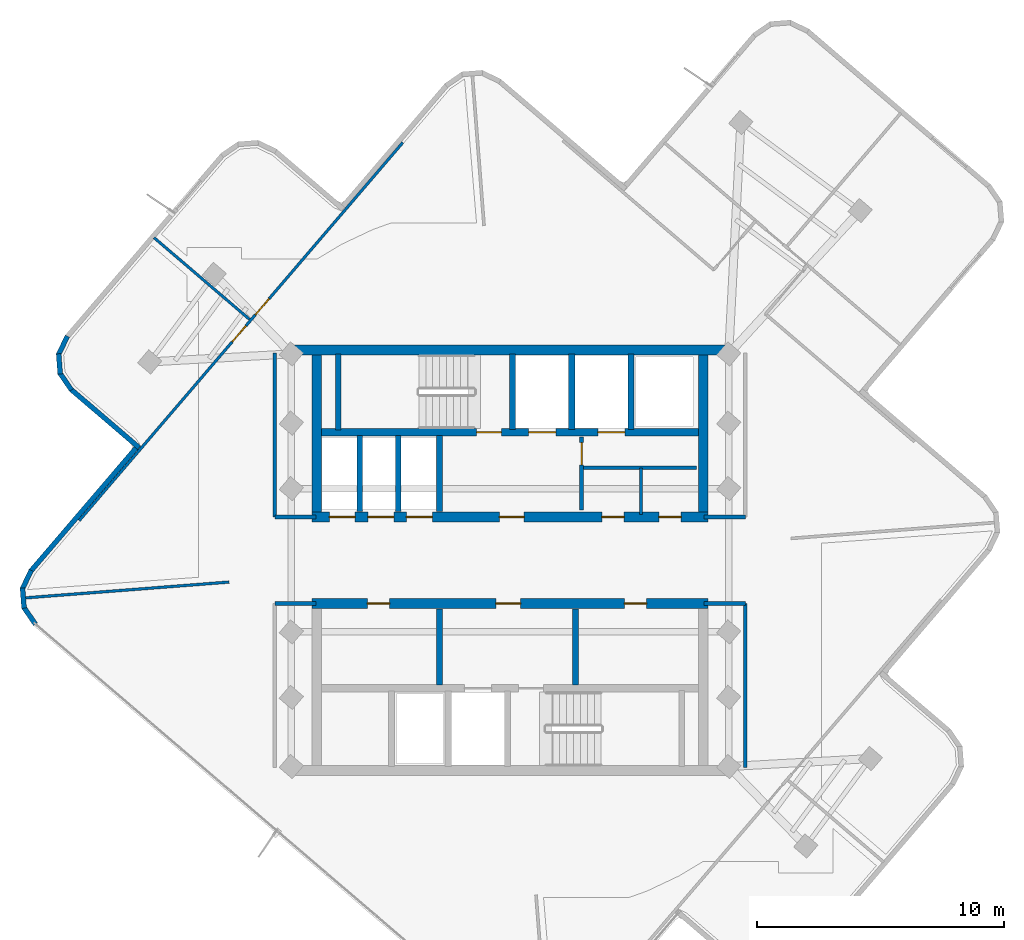
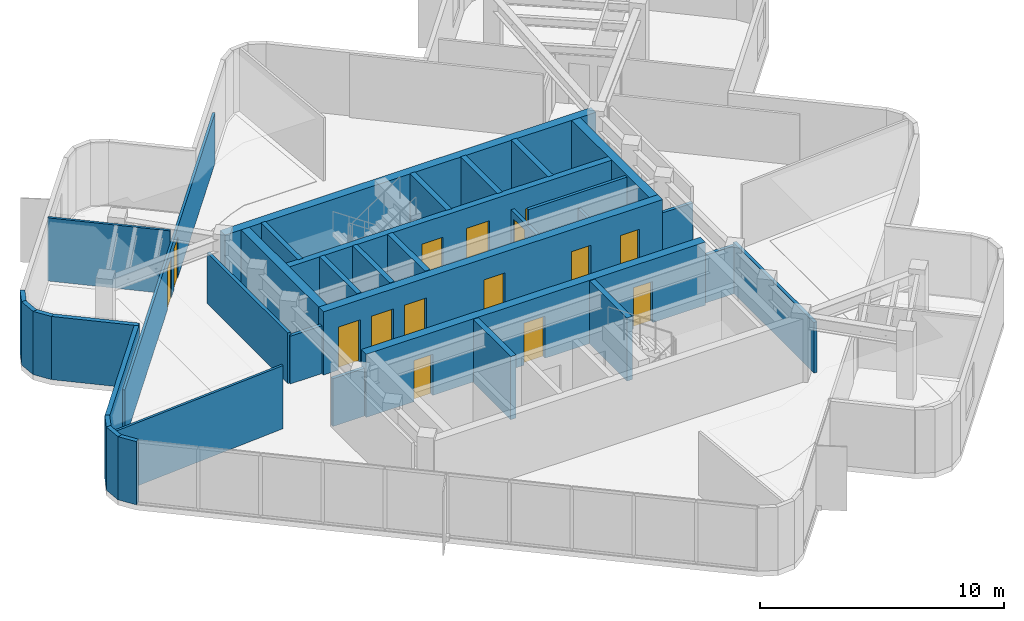
# One storey, part 6 of 11: 35 walls, 15 doors, 15 openings.
"""IFC4 building model written with IfcOpenShell, lengths in metres."""

import ifcopenshell
import ifcopenshell.guid

model = None  # the IFC model being written
_history = None  # IfcOwnerHistory: only IFC2X3 demands one
_inside = {}  # id of a spatial element -> (the spatial element, [elements in it])
_under = {}  # id of a project, library or spatial element -> (it, [spatial elements below it])
_declared = {}  # id of a project -> (the project, [libraries it declares])
_typed = {}  # id of a type object -> (the type object, [elements of that type])
_made_of = {}  # id of a material, layer set ... -> (it, [elements and type objects made of it])


def new_model(schema):
    """Start an empty IFC model of exactly this schema.

    Asked for "IFC4X3", IfcOpenShell would pick the latest addendum, in which some entities
    have other attributes; the version numbers below select the first issue.
    IFC2X3 requires an IfcOwnerHistory on every rooted entity: one is made here for all.
    """
    global model, _history
    if schema == "IFC4X3":
        model = ifcopenshell.file(schema_version=(4, 3, 0, 0))
    else:
        model = ifcopenshell.file(schema=schema)
    _inside.clear()
    _under.clear()
    _declared.clear()
    _typed.clear()
    _made_of.clear()
    _history = None
    if model.schema == "IFC2X3":
        org = make("IfcOrganization", Name="unknown")
        user = make(
            "IfcPersonAndOrganization",
            ThePerson=make("IfcPerson", FamilyName="unknown"),
            TheOrganization=org,
        )
        app = make(
            "IfcApplication",
            ApplicationDeveloper=org,
            Version="unknown",
            ApplicationFullName="unknown",
            ApplicationIdentifier="unknown",
        )
        _history = make(
            "IfcOwnerHistory",
            OwningUser=user,
            OwningApplication=app,
            ChangeAction="ADDED",
            CreationDate=0,
        )
    return model


def make(cls, **values):
    """One entity of the class cls with the attributes given. An attribute that is None is left unset."""
    return model.create_entity(
        cls, **{name: value for name, value in values.items() if value is not None}
    )


def rooted(cls, **values):
    """An entity with a GlobalId (a new one), such as an element, a storey or a relation."""
    return make(cls, GlobalId=ifcopenshell.guid.new(), OwnerHistory=_history, **values)


def si_unit(unit_type, name, prefix=None):
    """IfcSIUnit, for example si_unit("LENGTHUNIT", "METRE", prefix="MILLI")."""
    return make("IfcSIUnit", UnitType=unit_type, Prefix=prefix, Name=name)


def assignment(units):
    """IfcUnitAssignment: the units of a project."""
    return None if units is None else make("IfcUnitAssignment", Units=units)


def point(xyz):
    """IfcCartesianPoint."""
    return None if xyz is None else make("IfcCartesianPoint", Coordinates=xyz)


def direction(xyz):
    """IfcDirection."""
    return None if xyz is None else make("IfcDirection", DirectionRatios=xyz)


def frame(location, z_axis=None, x_axis=None):
    """IfcAxis2Placement3D, a coordinate frame: its origin and axes. An axis left out is left unset."""
    return make(
        "IfcAxis2Placement3D",
        Location=point(location),
        Axis=direction(z_axis),
        RefDirection=direction(x_axis),
    )


def frame_2d(location, x_axis=None):
    """IfcAxis2Placement2D, a coordinate frame in the plane: its origin and x axis."""
    return make(
        "IfcAxis2Placement2D", Location=point(location), RefDirection=direction(x_axis)
    )


def origin():
    """The frame at (0, 0, 0) with its axes left unset."""
    return frame((0.0, 0.0, 0.0))


def place(relative_to, where):
    """IfcLocalPlacement: puts the frame where relative to a parent placement (None: the world)."""
    return make(
        "IfcLocalPlacement", PlacementRelTo=relative_to, RelativePlacement=where
    )


def context(
    kind, dimensions, precision=None, world=None, true_north=None, identifier=None
):
    """IfcGeometricRepresentationContext, for example the 3D "Model" context."""
    return make(
        "IfcGeometricRepresentationContext",
        ContextIdentifier=identifier,
        ContextType=kind,
        CoordinateSpaceDimension=dimensions,
        Precision=precision,
        WorldCoordinateSystem=world,
        TrueNorth=true_north,
    )


def subcontext(parent, identifier, kind, view, scale=None):
    """IfcGeometricRepresentationSubContext, for example "Body" below "Model"."""
    return make(
        "IfcGeometricRepresentationSubContext",
        ContextIdentifier=identifier,
        ContextType=kind,
        ParentContext=parent,
        TargetScale=scale,
        TargetView=view,
    )


def project(units=None, contexts=None):
    """IfcProject with its units and contexts."""
    return rooted(
        "IfcProject",
        Name="project",
        RepresentationContexts=contexts,
        UnitsInContext=assignment(units),
    )


def spatial(cls, under=None, at=None, **own):
    """A site, building, storey or space (cls), placed at a placement, below another one or the project."""
    s = rooted(cls, ObjectPlacement=at, **own)
    if under is not None:
        _under.setdefault(under.id(), (under, []))[1].append(s)
    return s


def profile(cls, at=None, kind="AREA", **sizes):
    """A parametric profile (cls). Its sizes go by their IFC names, for example OverallWidth=200.0."""
    return make(cls, ProfileType=kind, Position=at, **sizes)


def rectangle(**sizes):
    """IfcRectangleProfileDef."""
    return profile("IfcRectangleProfileDef", **sizes)


def extrude(swept, where, along, depth):
    """IfcExtrudedAreaSolid: the profile swept, set in the frame where, extruded along a direction by depth."""
    return make(
        "IfcExtrudedAreaSolid",
        SweptArea=swept,
        Position=where,
        ExtrudedDirection=direction(along),
        Depth=depth,
    )


def shape(context_of_items, identifier, shape_type, items):
    """IfcShapeRepresentation: the items that make up one representation, for example the "Body"."""
    return make(
        "IfcShapeRepresentation",
        ContextOfItems=context_of_items,
        RepresentationIdentifier=identifier,
        RepresentationType=shape_type,
        Items=items,
    )


def material(Name=None, Category=None):
    """IfcMaterial."""
    return make("IfcMaterial", Name=Name, Category=Category)


def layer(
    of_material, thickness, ventilated=None, Name=None, Category=None, Priority=None
):
    """IfcMaterialLayer: one layer of a wall or slab, of a material (None: an air gap)."""
    return make(
        "IfcMaterialLayer",
        Material=of_material,
        LayerThickness=thickness,
        IsVentilated=ventilated,
        Name=Name,
        Category=Category,
        Priority=Priority,
    )


def layer_set(layers, Name=None):
    """IfcMaterialLayerSet."""
    return make("IfcMaterialLayerSet", MaterialLayers=layers, LayerSetName=Name)


def made_of(thing, what):
    """Note that an element or type object is made of a material, layer set ...; save() writes the relation."""
    if what is not None:
        _made_of.setdefault(what.id(), (what, []))[1].append(thing)
    return thing


def type_object(cls, material=None, **own):
    """A type object (cls), such as IfcWallType, which elements share."""
    return made_of(rooted(cls, **own), material)


def element(
    cls,
    number,
    at=None,
    inside=None,
    cuts=None,
    type_object=None,
    material=None,
    context=None,
    identifier="Body",
    shape_type=None,
    held_by="IfcProductDefinitionShape",
    body=None,
    shapes=None,
    **own,
):
    """One element of the class cls, such as IfcWall. Its Tag is "e" and its number.

    at: its placement. inside: the storey or other place that contains it. cuts: it is an
    opening in that element (IfcRelVoidsElement). A single representation is given by context,
    identifier, shape_type and body (its items); several are given by shapes. held_by: the class
    of the entity that holds the representations. save() writes the other relations.
    """
    e = rooted(cls, Tag="e%d" % number, ObjectPlacement=at, **own)
    if body is not None:
        shapes = [shape(context, identifier, shape_type, body)]
    if shapes is not None:
        e.Representation = make(held_by, Representations=shapes)
    if inside is not None:
        _inside.setdefault(inside.id(), (inside, []))[1].append(e)
    if cuts is not None:
        rooted(
            "IfcRelVoidsElement", RelatingBuildingElement=cuts, RelatedOpeningElement=e
        )
    if type_object is not None:
        _typed.setdefault(type_object.id(), (type_object, []))[1].append(e)
    return made_of(e, material)


def fill(opening, filler):
    """IfcRelFillsElement: the door or window that sits in an opening."""
    return rooted(
        "IfcRelFillsElement",
        RelatingOpeningElement=opening,
        RelatedBuildingElement=filler,
    )


def aggregate(whole, parts):
    """IfcRelAggregates: a whole, such as a stair, and the parts it consists of."""
    return rooted("IfcRelAggregates", RelatingObject=whole, RelatedObjects=parts)


def save(model, path):
    """Write the relations noted so far, then the file.

    IfcRelAggregates (storeys below a building ...), IfcRelContainedInSpatialStructure (elements
    in a storey), IfcRelDefinesByType, IfcRelAssociatesMaterial and IfcRelDeclares: one each for
    every whole, place, type object, material and project.
    """
    for whole, parts in _under.values():
        aggregate(whole, parts)
    for where, things in _inside.values():
        rooted(
            "IfcRelContainedInSpatialStructure",
            RelatedElements=things,
            RelatingStructure=where,
        )
    for kind, things in _typed.values():
        rooted("IfcRelDefinesByType", RelatedObjects=things, RelatingType=kind)
    for what, things in _made_of.values():
        rooted("IfcRelAssociatesMaterial", RelatedObjects=things, RelatingMaterial=what)
    for by, libraries in _declared.values():
        rooted("IfcRelDeclares", RelatingContext=by, RelatedDefinitions=libraries)
    model.write(path)


model = new_model("IFC4")

# Units and contexts
model_context = context("Model", 3, precision=1e-05, world=origin(), true_north=direction((0.0, 1.0)))
body_context = subcontext(model_context, "Body", "Model", "MODEL_VIEW")
ifc_project = project(units=[si_unit("LENGTHUNIT", "METRE"), si_unit("AREAUNIT", "SQUARE_METRE"), si_unit("VOLUMEUNIT", "CUBIC_METRE"), si_unit("PLANEANGLEUNIT", "RADIAN"), si_unit("MASSUNIT", "GRAM", prefix="KILO")], contexts=[model_context])

# Site, building, storey
site_placement = place(None, origin())
site = spatial("IfcSite", under=ifc_project, at=site_placement, CompositionType="ELEMENT")
building_placement = place(site_placement, origin())
building = spatial("IfcBuilding", under=site, at=building_placement, Name="Solmarez Civic Tower", CompositionType="ELEMENT")
storey_placement = place(building_placement, frame((0.0, 0.0, 250.919921875)))
storey = spatial("IfcBuildingStorey", under=building, at=storey_placement, Name="L67", CompositionType="ELEMENT", Elevation=250.919921875)

# Wall
ifc_material_1 = material(Name="Concrete C50/60", Category="concrete")
ifc_layer_1 = layer(ifc_material_1, 0.39990234375)
ifc_layer_set_1 = layer_set([ifc_layer_1], Name="Concrete C50/60")
wall_type_1 = type_object("IfcWallType", Name="WALL-CORE-400", PredefinedType="SHEAR", material=ifc_layer_set_1)
wall_1_placement = place(storey_placement, frame((-8.780029296875, 8.510009765625, 0.0), z_axis=(0.0, 0.0, 1.0), x_axis=(1.0, 0.0, 0.0)))
element("IfcWall", 1, at=wall_1_placement, inside=storey, type_object=wall_type_1, Name="L67 Split-Core Structural Wall NCW-N-L67", PredefinedType="SHEAR", context=body_context, shape_type="SweptSolid", body=[
    extrude(rectangle(XDim=17.56005859375, YDim=0.39990234375, at=frame_2d((8.780029296875, 0.0))), origin(), (0.0, 0.0, 1.0), 3.16015625),
])

# Wall, openings, doors
wall_2_placement = place(storey_placement, frame((8.02001953125, 1.75, 0.0), z_axis=(0.0, 0.0, 1.0), x_axis=(-1.0, 0.0, 0.0)))
wall_2 = element("IfcWall", 2, at=wall_2_placement, inside=storey, type_object=wall_type_1, Name="L67 Split-Core Structural Wall NCW-S-L67", PredefinedType="SHEAR", context=body_context, shape_type="SweptSolid", body=[
    extrude(rectangle(XDim=16.0400390625, YDim=0.39990234375, at=frame_2d((8.02001953125, 0.0))), origin(), (0.0, 0.0, 1.0), 3.16015625),
])
opening_1_placement = place(wall_2_placement, frame((7.449951171875, 0.0, 0.0)))
opening_1 = element("IfcOpeningElement", 3, at=opening_1_placement, cuts=wall_2, Name="Opening D-04", PredefinedType="OPENING", context=body_context, shape_type="SweptSolid", body=[
    extrude(rectangle(XDim=1.0, YDim=2.10009765625, at=frame_2d((0.5, 1.050048828125))), frame((0.0, 0.2099609375, 0.0), z_axis=(0.0, -1.0, 0.0), x_axis=(1.0, 0.0, 0.0)), (0.0, 0.0, 1.0), 0.419921875),
])
opening_2_placement = place(wall_2_placement, frame((14.284912109375, 0.0, 0.0)))
opening_2 = element("IfcOpeningElement", 4, at=opening_2_placement, cuts=wall_2, Name="Opening LD-01", PredefinedType="OPENING", context=body_context, shape_type="SweptSolid", body=[
    extrude(rectangle(XDim=1.050048828125, YDim=2.14990234375, at=frame_2d((0.52490234375, 1.074951171875))), frame((0.0, 0.2099609375, 0.0), z_axis=(0.0, -1.0, 0.0), x_axis=(1.0, 0.0, 0.0)), (0.0, 0.0, 1.0), 0.419921875),
])
opening_3_placement = place(wall_2_placement, frame((12.72509765625, 0.0, 0.0)))
opening_3 = element("IfcOpeningElement", 5, at=opening_3_placement, cuts=wall_2, Name="Opening LD-01", PredefinedType="OPENING", context=body_context, shape_type="SweptSolid", body=[
    extrude(rectangle(XDim=1.050048828125, YDim=2.14990234375, at=frame_2d((0.52490234375, 1.074951171875))), frame((0.0, 0.2099609375, 0.0), z_axis=(0.0, -1.0, 0.0), x_axis=(1.0, 0.0, 0.0)), (0.0, 0.0, 1.0), 0.419921875),
])
opening_4_placement = place(wall_2_placement, frame((11.1650390625, 0.0, 0.0)))
opening_4 = element("IfcOpeningElement", 6, at=opening_4_placement, cuts=wall_2, Name="Opening LD-01", PredefinedType="OPENING", context=body_context, shape_type="SweptSolid", body=[
    extrude(rectangle(XDim=1.050048828125, YDim=2.14990234375, at=frame_2d((0.52490234375, 1.074951171875))), frame((0.0, 0.2099609375, 0.0), z_axis=(0.0, -1.0, 0.0), x_axis=(1.0, 0.0, 0.0)), (0.0, 0.0, 1.0), 0.419921875),
])
opening_5_placement = place(wall_2_placement, frame((3.39990234375, 0.0, 0.0)))
opening_5 = element("IfcOpeningElement", 7, at=opening_5_placement, cuts=wall_2, Name="Opening D-09", PredefinedType="OPENING", context=body_context, shape_type="SweptSolid", body=[
    extrude(rectangle(XDim=0.89990234375, YDim=2.06005859375, at=frame_2d((0.449951171875, 1.030029296875))), frame((0.0, 0.2099609375, 0.0), z_axis=(0.0, -1.0, 0.0), x_axis=(1.0, 0.0, 0.0)), (0.0, 0.0, 1.0), 0.419921875),
])
opening_6_placement = place(wall_2_placement, frame((1.10009765625, 0.0, 0.0)))
opening_6 = element("IfcOpeningElement", 8, at=opening_6_placement, cuts=wall_2, Name="Opening D-09", PredefinedType="OPENING", context=body_context, shape_type="SweptSolid", body=[
    extrude(rectangle(XDim=0.89990234375, YDim=2.06005859375, at=frame_2d((0.449951171875, 1.030029296875))), frame((0.0, 0.2099609375, 0.0), z_axis=(0.0, -1.0, 0.0), x_axis=(1.0, 0.0, 0.0)), (0.0, 0.0, 1.0), 0.419921875),
])
ifc_material_2 = material(Name="Steel-Faced Acoustic Fire Door", Category="steel")
door_type_1 = type_object("IfcDoorType", Name="DOOR-FD60-1000", OperationType="NOTDEFINED", PredefinedType="DOOR", material=ifc_material_2)
door_1_placement = place(opening_1_placement, origin())
door_1 = element("IfcDoor", 9, at=door_1_placement, inside=storey, type_object=door_type_1, Name="L67 North Firefighting Lobby Door", OperationType="SINGLE_SWING_RIGHT", OverallHeight=2.10009765625, OverallWidth=1.0, PredefinedType="DOOR", context=body_context, shape_type="SweptSolid", body=[
    extrude(rectangle(XDim=1.0, YDim=2.10009765625, at=frame_2d((0.5, 1.050048828125))), frame((0.0, 0.02490234375, 0.0), z_axis=(0.0, -1.0, 0.0), x_axis=(1.0, 0.0, 0.0)), (0.0, 0.0, 1.0), 0.050048828125),
])
fill(opening_1, door_1)
ifc_material_3 = material(Name="Fire-Rated Service Core Door", Category="wood")
door_type_2 = type_object("IfcDoorType", Name="DOOR-FD60-900", OperationType="NOTDEFINED", PredefinedType="DOOR", material=ifc_material_3)
door_2_placement = place(opening_5_placement, origin())
door_2 = element("IfcDoor", 10, at=door_2_placement, inside=storey, type_object=door_type_2, Name="L67 Core WC Door", OperationType="SINGLE_SWING_LEFT", OverallHeight=2.06005859375, OverallWidth=0.89990234375, PredefinedType="DOOR", context=body_context, shape_type="SweptSolid", body=[
    extrude(rectangle(XDim=0.89990234375, YDim=2.06005859375, at=frame_2d((0.449951171875, 1.030029296875))), frame((0.0, 0.02490234375, 0.0), z_axis=(0.0, -1.0, 0.0), x_axis=(1.0, 0.0, 0.0)), (0.0, 0.0, 1.0), 0.050048828125),
])
fill(opening_5, door_2)
door_3_placement = place(opening_6_placement, origin())
door_3 = element("IfcDoor", 11, at=door_3_placement, inside=storey, type_object=door_type_2, Name="L67 Core CL Door", OperationType="SINGLE_SWING_RIGHT", OverallHeight=2.06005859375, OverallWidth=0.89990234375, PredefinedType="DOOR", context=body_context, shape_type="SweptSolid", body=[
    extrude(rectangle(XDim=0.89990234375, YDim=2.06005859375, at=frame_2d((0.449951171875, 1.030029296875))), frame((0.0, 0.02490234375, 0.0), z_axis=(0.0, -1.0, 0.0), x_axis=(1.0, 0.0, 0.0)), (0.0, 0.0, 1.0), 0.050048828125),
])
fill(opening_6, door_3)
ifc_material_4 = material(Name="Bronze Passenger Lift Landing Sliding Door", Category="aluminium")
door_type_3 = type_object("IfcDoorType", Name="DOOR-LD-PAX-1050", OperationType="DOUBLE_DOOR_SLIDING", PredefinedType="DOOR", material=ifc_material_4)
door_4_placement = place(opening_2_placement, origin())
door_4 = element("IfcDoor", 12, at=door_4_placement, inside=storey, type_object=door_type_3, Name="L67 High-Rise Lift Landing Door PL-H1", OperationType="DOUBLE_DOOR_SLIDING", OverallHeight=2.14990234375, OverallWidth=1.050048828125, PredefinedType="DOOR", context=body_context, shape_type="SweptSolid", body=[
    extrude(rectangle(XDim=1.050048828125, YDim=2.14990234375, at=frame_2d((0.52490234375, 1.074951171875))), frame((0.0, 0.02490234375, 0.0), z_axis=(0.0, -1.0, 0.0), x_axis=(1.0, 0.0, 0.0)), (0.0, 0.0, 1.0), 0.050048828125),
])
fill(opening_2, door_4)
door_5_placement = place(opening_3_placement, origin())
door_5 = element("IfcDoor", 13, at=door_5_placement, inside=storey, type_object=door_type_3, Name="L67 High-Rise Lift Landing Door PL-H2", OperationType="DOUBLE_DOOR_SLIDING", OverallHeight=2.14990234375, OverallWidth=1.050048828125, PredefinedType="DOOR", context=body_context, shape_type="SweptSolid", body=[
    extrude(rectangle(XDim=1.050048828125, YDim=2.14990234375, at=frame_2d((0.52490234375, 1.074951171875))), frame((0.0, 0.02490234375, 0.0), z_axis=(0.0, -1.0, 0.0), x_axis=(1.0, 0.0, 0.0)), (0.0, 0.0, 1.0), 0.050048828125),
])
fill(opening_3, door_5)
door_6_placement = place(opening_4_placement, origin())
door_6 = element("IfcDoor", 14, at=door_6_placement, inside=storey, type_object=door_type_3, Name="L67 High-Rise Lift Landing Door PL-H3", OperationType="DOUBLE_DOOR_SLIDING", OverallHeight=2.14990234375, OverallWidth=1.050048828125, PredefinedType="DOOR", context=body_context, shape_type="SweptSolid", body=[
    extrude(rectangle(XDim=1.050048828125, YDim=2.14990234375, at=frame_2d((0.52490234375, 1.074951171875))), frame((0.0, 0.02490234375, 0.0), z_axis=(0.0, -1.0, 0.0), x_axis=(1.0, 0.0, 0.0)), (0.0, 0.0, 1.0), 0.050048828125),
])
fill(opening_4, door_6)

# Walls
for number, where, z_axis, x_axis, name in (
    (15, (-7.820068359375, 1.949951171875, 0.0), (0.0, 0.0, 1.0), (0.0, 1.0, 0.0), "L67 Split-Core Structural Wall NCW-W-L67"),
    (16, (7.820068359375, 8.31005859375, 0.0), (0.0, 0.0, 1.0), (0.0, -1.0, 0.0), "L67 Split-Core Structural Wall NCW-E-L67"),
):
    element("IfcWall", number, at=place(storey_placement, frame(where, z_axis=z_axis, x_axis=x_axis)), inside=storey, type_object=wall_type_1, Name=name, PredefinedType="SHEAR", context=body_context, shape_type="SweptSolid", body=[
        extrude(rectangle(XDim=6.360107421875, YDim=0.39990234375, at=frame_2d((3.18017578125, 0.0))), origin(), (0.0, 0.0, 1.0), 3.16015625),
    ])

# Wall, openings, doors
wall_3_placement = place(storey_placement, frame((-8.02001953125, -1.75, 0.0), z_axis=(0.0, 0.0, 1.0), x_axis=(1.0, 0.0, 0.0)))
wall_3 = element("IfcWall", 17, at=wall_3_placement, inside=storey, type_object=wall_type_1, Name="L67 Split-Core Structural Wall SCW-N-L67", PredefinedType="SHEAR", context=body_context, shape_type="SweptSolid", body=[
    extrude(rectangle(XDim=16.0400390625, YDim=0.39990234375, at=frame_2d((8.02001953125, 0.0))), origin(), (0.0, 0.0, 1.0), 3.16015625),
])
opening_7_placement = place(wall_3_placement, frame((7.449951171875, 0.0, 0.0)))
opening_7 = element("IfcOpeningElement", 18, at=opening_7_placement, cuts=wall_3, Name="Opening D-04", PredefinedType="OPENING", context=body_context, shape_type="SweptSolid", body=[
    extrude(rectangle(XDim=1.0, YDim=2.10009765625, at=frame_2d((0.5, 1.050048828125))), frame((0.0, 0.2099609375, 0.0), z_axis=(0.0, -1.0, 0.0), x_axis=(1.0, 0.0, 0.0)), (0.0, 0.0, 1.0), 0.419921875),
])
opening_8_placement = place(wall_3_placement, frame((12.64990234375, 0.0, 0.0)))
opening_8 = element("IfcOpeningElement", 19, at=opening_8_placement, cuts=wall_3, Name="Opening D-09", PredefinedType="OPENING", context=body_context, shape_type="SweptSolid", body=[
    extrude(rectangle(XDim=0.89990234375, YDim=2.06005859375, at=frame_2d((0.449951171875, 1.030029296875))), frame((0.0, 0.2099609375, 0.0), z_axis=(0.0, -1.0, 0.0), x_axis=(1.0, 0.0, 0.0)), (0.0, 0.0, 1.0), 0.419921875),
])
opening_9_placement = place(wall_3_placement, frame((2.25, 0.0, 0.0)))
opening_9 = element("IfcOpeningElement", 20, at=opening_9_placement, cuts=wall_3, Name="Opening D-09", PredefinedType="OPENING", context=body_context, shape_type="SweptSolid", body=[
    extrude(rectangle(XDim=0.89990234375, YDim=2.06005859375, at=frame_2d((0.449951171875, 1.030029296875))), frame((0.0, 0.2099609375, 0.0), z_axis=(0.0, -1.0, 0.0), x_axis=(1.0, 0.0, 0.0)), (0.0, 0.0, 1.0), 0.419921875),
])
door_7_placement = place(opening_7_placement, origin())
door_7 = element("IfcDoor", 21, at=door_7_placement, inside=storey, type_object=door_type_1, Name="L67 South Firefighting Lobby Door", OperationType="SINGLE_SWING_LEFT", OverallHeight=2.10009765625, OverallWidth=1.0, PredefinedType="DOOR", context=body_context, shape_type="SweptSolid", body=[
    extrude(rectangle(XDim=1.0, YDim=2.10009765625, at=frame_2d((0.5, 1.050048828125))), frame((0.0, 0.02490234375, 0.0), z_axis=(0.0, -1.0, 0.0), x_axis=(1.0, 0.0, 0.0)), (0.0, 0.0, 1.0), 0.050048828125),
])
fill(opening_7, door_7)
door_8_placement = place(opening_8_placement, origin())
door_8 = element("IfcDoor", 22, at=door_8_placement, inside=storey, type_object=door_type_2, Name="L67 Freed Hoistway Mailroom Door", OperationType="SINGLE_SWING_LEFT", OverallHeight=2.06005859375, OverallWidth=0.89990234375, PredefinedType="DOOR", context=body_context, shape_type="SweptSolid", body=[
    extrude(rectangle(XDim=0.89990234375, YDim=2.06005859375, at=frame_2d((0.449951171875, 1.030029296875))), frame((0.0, 0.02490234375, 0.0), z_axis=(0.0, -1.0, 0.0), x_axis=(1.0, 0.0, 0.0)), (0.0, 0.0, 1.0), 0.050048828125),
])
fill(opening_8, door_8)
door_9_placement = place(opening_9_placement, origin())
door_9 = element("IfcDoor", 23, at=door_9_placement, inside=storey, type_object=door_type_2, Name="L67 Delegation Tea Pantry Door", OperationType="SINGLE_SWING_RIGHT", OverallHeight=2.06005859375, OverallWidth=0.89990234375, PredefinedType="DOOR", context=body_context, shape_type="SweptSolid", body=[
    extrude(rectangle(XDim=0.89990234375, YDim=2.06005859375, at=frame_2d((0.449951171875, 1.030029296875))), frame((0.0, 0.02490234375, 0.0), z_axis=(0.0, -1.0, 0.0), x_axis=(1.0, 0.0, 0.0)), (0.0, 0.0, 1.0), 0.050048828125),
])
fill(opening_9, door_9)

# Walls
ifc_material_5 = material(Name="Precast concrete C40/50", Category="concrete")
ifc_layer_2 = layer(ifc_material_5, 0.199951171875)
ifc_layer_set_2 = layer_set([ifc_layer_2], Name="Precast concrete C40/50")
wall_type_2 = type_object("IfcWallType", Name="WALL-EXT-200", PredefinedType="SOLIDWALL", material=ifc_layer_set_2)
wall_4_placement = place(storey_placement, frame((-19.2099609375, -2.5869140625, 0.0), z_axis=(0.0, 0.0, 1.0), x_axis=(-0.565268121329, 0.824907237821, 0.0)))
element("IfcWall", 24, at=wall_4_placement, inside=storey, type_object=wall_type_2, Name="L67 Exterior Precast Wall 7", PredefinedType="SOLIDWALL", context=body_context, shape_type="SweptSolid", body=[
    extrude(rectangle(XDim=0.8388671875, YDim=0.199951171875, at=frame_2d((0.41943359375, 0.0))), origin(), (0.0, 0.0, 1.0), 3.16015625),
])
wall_5_placement = place(storey_placement, frame((-19.66796875, -1.94091796875, 0.0), z_axis=(0.0, 0.0, 1.0), x_axis=(-0.077579558977, 0.996986164412, 0.0)))
element("IfcWall", 25, at=wall_5_placement, inside=storey, type_object=wall_type_2, Name="L67 Exterior Precast Wall 8", PredefinedType="SOLIDWALL", context=body_context, shape_type="SweptSolid", body=[
    extrude(rectangle(XDim=0.824462890625, YDim=0.199951171875, at=frame_2d((0.412109375, 0.0))), origin(), (0.0, 0.0, 1.0), 3.16015625),
])
wall_6_placement = place(storey_placement, frame((-19.740966796875, -1.1669921875, 0.0), z_axis=(0.0, 0.0, 1.0), x_axis=(0.430982405796, 0.902360330408, 0.0)))
element("IfcWall", 26, at=wall_6_placement, inside=storey, type_object=wall_type_2, Name="L67 Exterior Precast Wall 9", PredefinedType="SOLIDWALL", context=body_context, shape_type="SweptSolid", body=[
    extrude(rectangle(XDim=0.840087890625, YDim=0.199951171875, at=frame_2d((0.419921875, 0.0))), origin(), (0.0, 0.0, 1.0), 3.16015625),
])
wall_7_placement = place(storey_placement, frame((-19.406005859375, -0.450927734375, 0.0), z_axis=(0.0, 0.0, 1.0), x_axis=(0.650185720357, 0.759775314842, 0.0)))
element("IfcWall", 27, at=wall_7_placement, inside=storey, type_object=wall_type_2, Name="L67 Exterior Precast Wall 10", PredefinedType="SOLIDWALL", context=body_context, shape_type="SweptSolid", body=[
    extrude(rectangle(XDim=6.7412109375, YDim=0.199951171875, at=frame_2d((3.37060546875, 0.0))), origin(), (0.0, 0.0, 1.0), 3.16015625),
])
wall_8_placement = place(storey_placement, frame((-15.013916015625, 4.55810546875, 0.0), z_axis=(0.0, 0.0, 1.0), x_axis=(-0.759781598798, 0.650178377161, 0.0)))
element("IfcWall", 28, at=wall_8_placement, inside=storey, type_object=wall_type_2, Name="L67 Exterior Precast Wall 13", PredefinedType="SOLIDWALL", context=body_context, shape_type="SweptSolid", body=[
    extrude(rectangle(XDim=3.641845703125, YDim=0.199951171875, at=frame_2d((1.82080078125, 0.0))), origin(), (0.0, 0.0, 1.0), 3.16015625),
])
wall_9_placement = place(storey_placement, frame((-17.748046875, 6.888916015625, 0.0), z_axis=(0.0, 0.0, 1.0), x_axis=(-0.564140869434, 0.825678556967, 0.0)))
element("IfcWall", 29, at=wall_9_placement, inside=storey, type_object=wall_type_2, Name="L67 Exterior Precast Wall 14", PredefinedType="SOLIDWALL", context=body_context, shape_type="SweptSolid", body=[
    extrude(rectangle(XDim=0.83837890625, YDim=0.199951171875, at=frame_2d((0.419189453125, 0.0))), origin(), (0.0, 0.0, 1.0), 3.16015625),
])
wall_10_placement = place(storey_placement, frame((-18.205078125, 7.534912109375, 0.0), z_axis=(0.0, 0.0, 1.0), x_axis=(-0.077579558977, 0.996986164412, 0.0)))
element("IfcWall", 30, at=wall_10_placement, inside=storey, type_object=wall_type_2, Name="L67 Exterior Precast Wall 15", PredefinedType="SOLIDWALL", context=body_context, shape_type="SweptSolid", body=[
    extrude(rectangle(XDim=0.824462890625, YDim=0.199951171875, at=frame_2d((0.412109375, 0.0))), origin(), (0.0, 0.0, 1.0), 3.16015625),
])
wall_11_placement = place(storey_placement, frame((-18.278076171875, 8.30908203125, 0.0), z_axis=(0.0, 0.0, 1.0), x_axis=(0.431548166297, 0.902089895834, 0.0)))
element("IfcWall", 31, at=wall_11_placement, inside=storey, type_object=wall_type_2, Name="L67 Exterior Precast Wall 16", PredefinedType="SOLIDWALL", context=body_context, shape_type="SweptSolid", body=[
    extrude(rectangle(XDim=0.8388671875, YDim=0.199951171875, at=frame_2d((0.41943359375, 0.0))), origin(), (0.0, 0.0, 1.0), 3.16015625),
])
ifc_material_6 = material(Name="Gypsum Board Acoustic Steel-Stud Partition", Category="steel")
ifc_layer_3 = layer(ifc_material_6, 0.14990234375)
ifc_layer_set_3 = layer_set([ifc_layer_3], Name="Gypsum Board Acoustic Steel-Stud Partition")
wall_type_3 = type_object("IfcWallType", Name="WALL-INT-FIRE-150", PredefinedType="PARTITIONING", material=ifc_layer_set_3)
wall_12_placement = place(storey_placement, frame((-9.52001953125, 1.75, 0.0), z_axis=(0.0, 0.0, 1.0), x_axis=(0.0, 1.0, 0.0)))
element("IfcWall", 32, at=wall_12_placement, inside=storey, type_object=wall_type_3, Name="L67 Interior Partition CHW-L67-WN1", PredefinedType="PARTITIONING", context=body_context, shape_type="SweptSolid", body=[
    extrude(rectangle(XDim=6.6298828125, YDim=0.14990234375, at=frame_2d((3.31494140625, 0.0))), origin(), (0.0, 0.0, 1.0), 2.530029296875),
])
for number, where, z_axis, x_axis, name in (
    (33, (-7.85009765625, 1.75, 0.0), (0.0, 0.0, 1.0), (-1.0, 0.0, 0.0), "L67 Interior Partition CHW-L67-WN3"),
    (34, (-7.85009765625, -1.75, 0.0), (0.0, 0.0, 1.0), (-1.0, 0.0, 0.0), "L67 Interior Partition CHW-L67-WS3"),
    (35, (7.85009765625, 1.75, 0.0), (0.0, 0.0, 1.0), (1.0, 0.0, 0.0), "L67 Interior Partition CHW-L67-EN3"),
):
    element("IfcWall", number, at=place(storey_placement, frame(where, z_axis=z_axis, x_axis=x_axis)), inside=storey, type_object=wall_type_3, Name=name, PredefinedType="PARTITIONING", context=body_context, shape_type="SweptSolid", body=[
        extrude(rectangle(XDim=1.669921875, YDim=0.14990234375, at=frame_2d((0.8349609375, 0.0))), origin(), (0.0, 0.0, 1.0), 2.39013671875),
    ])
wall_13_placement = place(storey_placement, frame((9.52001953125, -8.3798828125, 0.0), z_axis=(0.0, 0.0, 1.0), x_axis=(0.0, 1.0, 0.0)))
element("IfcWall", 36, at=wall_13_placement, inside=storey, type_object=wall_type_3, Name="L67 Interior Partition CHW-L67-ES1", PredefinedType="PARTITIONING", context=body_context, shape_type="SweptSolid", body=[
    extrude(rectangle(XDim=6.6298828125, YDim=0.14990234375, at=frame_2d((3.31494140625, 0.0))), origin(), (0.0, 0.0, 1.0), 2.530029296875),
])
wall_14_placement = place(storey_placement, frame((7.85009765625, -1.75, 0.0), z_axis=(0.0, 0.0, 1.0), x_axis=(1.0, 0.0, 0.0)))
element("IfcWall", 37, at=wall_14_placement, inside=storey, type_object=wall_type_3, Name="L67 Interior Partition CHW-L67-ES3", PredefinedType="PARTITIONING", context=body_context, shape_type="SweptSolid", body=[
    extrude(rectangle(XDim=1.669921875, YDim=0.14990234375, at=frame_2d((0.8349609375, 0.0))), origin(), (0.0, 0.0, 1.0), 2.39013671875),
])
ifc_layer_4 = layer(ifc_material_6, 0.110107421875)
ifc_layer_set_4 = layer_set([ifc_layer_4], Name="Gypsum Board Acoustic Steel-Stud Partition")
wall_type_4 = type_object("IfcWallType", Name="WALL-INT-PART-110", PredefinedType="PARTITIONING", material=ifc_layer_set_4)
wall_15_placement = place(storey_placement, frame((-11.365966796875, -0.883056640625, 0.0), z_axis=(0.0, 0.0, 1.0), x_axis=(-0.997001087863, -0.077387536463, 0.0)))
element("IfcWall", 38, at=wall_15_placement, inside=storey, type_object=wall_type_4, Name="L67 Interior Partition PT-L67-QDIV-2", PredefinedType="PARTITIONING", context=body_context, shape_type="SweptSolid", body=[
    extrude(rectangle(XDim=8.2939453125, YDim=0.110107421875, at=frame_2d((4.14697265625, 0.0))), origin(), (0.0, 0.0, 1.0), 3.16015625),
])
wall_16_placement = place(storey_placement, frame((-10.5439453125, 9.7490234375, 0.0), z_axis=(0.0, 0.0, 1.0), x_axis=(-0.759849347966, 0.650099198889, 0.0)))
element("IfcWall", 39, at=wall_16_placement, inside=storey, type_object=wall_type_4, Name="L67 Interior Partition PT-L67-N-ALM", PredefinedType="PARTITIONING", context=body_context, shape_type="SweptSolid", body=[
    extrude(rectangle(XDim=5.085205078125, YDim=0.110107421875, at=frame_2d((2.54248046875, 0.0))), origin(), (0.0, 0.0, 1.0), 3.16015625),
])

# Wall, openings, doors
wall_17_placement = place(storey_placement, frame((-17.43701171875, 1.60400390625, 0.0), z_axis=(0.0, 0.0, 1.0), x_axis=(0.650265099033, 0.759707378522, 0.0)))
wall_17 = element("IfcWall", 40, at=wall_17_placement, inside=storey, type_object=wall_type_4, Name="L67 Interior Partition PT-L67-N-ENT", PredefinedType="PARTITIONING", context=body_context, shape_type="SweptSolid", body=[
    extrude(rectangle(XDim=20.139404296875, YDim=0.110107421875, at=frame_2d((10.06982421875, 0.0))), origin(), (0.0, 0.0, 1.0), 2.530029296875),
])
opening_10_placement = place(wall_17_placement, frame((10.958984375, 0.0, 0.0)))
opening_10 = element("IfcOpeningElement", 41, at=opening_10_placement, cuts=wall_17, Name="Opening D-14", PredefinedType="OPENING", context=body_context, shape_type="SweptSolid", body=[
    extrude(rectangle(XDim=0.860107421875, YDim=2.0400390625, at=frame_2d((0.43017578125, 1.02001953125))), frame((0.0, 0.06494140625, 0.0), z_axis=(0.0, -1.0, 0.0), x_axis=(1.0, 0.0, 0.0)), (0.0, 0.0, 1.0), 0.130126953125),
])
opening_11_placement = place(wall_17_placement, frame((9.51904296875, 0.0, 0.0)))
opening_11 = element("IfcOpeningElement", 42, at=opening_11_placement, cuts=wall_17, Name="Opening D-14", PredefinedType="OPENING", context=body_context, shape_type="SweptSolid", body=[
    extrude(rectangle(XDim=0.860107421875, YDim=2.0400390625, at=frame_2d((0.43017578125, 1.02001953125))), frame((0.0, 0.06494140625, 0.0), z_axis=(0.0, -1.0, 0.0), x_axis=(1.0, 0.0, 0.0)), (0.0, 0.0, 1.0), 0.130126953125),
])
ifc_material_7 = material(Name="Timber Storage and Pantry Door", Category="wood")
door_type_4 = type_object("IfcDoorType", Name="DOOR-INT-850", OperationType="NOTDEFINED", PredefinedType="DOOR", material=ifc_material_7)
door_10_placement = place(opening_10_placement, origin())
door_10 = element("IfcDoor", 43, at=door_10_placement, inside=storey, type_object=door_type_4, Name="L67 Municipal Mailroom Second North Door", OperationType="SINGLE_SWING_RIGHT", OverallHeight=2.0400390625, OverallWidth=0.860107421875, PredefinedType="DOOR", context=body_context, shape_type="SweptSolid", body=[
    extrude(rectangle(XDim=0.860107421875, YDim=2.0400390625, at=frame_2d((0.43017578125, 1.02001953125))), frame((0.0, 0.02490234375, 0.0), z_axis=(0.0, -1.0, 0.0), x_axis=(1.0, 0.0, 0.0)), (0.0, 0.0, 1.0), 0.050048828125),
])
fill(opening_10, door_10)
door_11_placement = place(opening_11_placement, origin())
door_11 = element("IfcDoor", 44, at=door_11_placement, inside=storey, type_object=door_type_4, Name="L67 Breakout Huddle Room First North Door", OperationType="SINGLE_SWING_LEFT", OverallHeight=2.0400390625, OverallWidth=0.860107421875, PredefinedType="DOOR", context=body_context, shape_type="SweptSolid", body=[
    extrude(rectangle(XDim=0.860107421875, YDim=2.0400390625, at=frame_2d((0.43017578125, 1.02001953125))), frame((0.0, 0.02490234375, 0.0), z_axis=(0.0, -1.0, 0.0), x_axis=(1.0, 0.0, 0.0)), (0.0, 0.0, 1.0), 0.050048828125),
])
fill(opening_11, door_11)

# Wall, opening, door
ifc_layer_5 = layer(ifc_material_6, 0.159912109375)
ifc_layer_set_5 = layer_set([ifc_layer_5], Name="Gypsum Board Acoustic Steel-Stud Partition")
wall_type_5 = type_object("IfcWallType", Name="WALL-INT-SHAFT-160", PredefinedType="PARTITIONING", material=ifc_layer_set_5)
wall_18_placement = place(storey_placement, frame((2.89990234375, 2.0400390625, 0.0), z_axis=(0.0, 0.0, 1.0), x_axis=(0.0, 1.0, 0.0)))
wall_18 = element("IfcWall", 45, at=wall_18_placement, inside=storey, type_object=wall_type_5, Name="L67 Interior Partition SHW-NL2-L67", PredefinedType="PARTITIONING", context=body_context, shape_type="SweptSolid", body=[
    extrude(rectangle(XDim=2.93994140625, YDim=0.159912109375, at=frame_2d((1.469970703125, 0.0))), origin(), (0.0, 0.0, 1.0), 2.39013671875),
])
opening_12_placement = place(wall_18_placement, frame((1.820068359375, 0.0, 0.0)))
opening_12 = element("IfcOpeningElement", 46, at=opening_12_placement, cuts=wall_18, Name="Opening D-09", PredefinedType="OPENING", context=body_context, shape_type="SweptSolid", body=[
    extrude(rectangle(XDim=0.89990234375, YDim=2.06005859375, at=frame_2d((0.449951171875, 1.030029296875))), frame((0.0, 0.08984375, 0.0), z_axis=(0.0, -1.0, 0.0), x_axis=(1.0, 0.0, 0.0)), (0.0, 0.0, 1.0), 0.179931640625),
])
door_12_placement = place(opening_12_placement, origin())
door_12 = element("IfcDoor", 47, at=door_12_placement, inside=storey, type_object=door_type_2, Name="L67 Service Lift Lobby Door", OperationType="SINGLE_SWING_LEFT", OverallHeight=2.06005859375, OverallWidth=0.89990234375, PredefinedType="DOOR", context=body_context, shape_type="SweptSolid", body=[
    extrude(rectangle(XDim=0.89990234375, YDim=2.06005859375, at=frame_2d((0.449951171875, 1.030029296875))), frame((0.0, 0.02490234375, 0.0), z_axis=(0.0, -1.0, 0.0), x_axis=(1.0, 0.0, 0.0)), (0.0, 0.0, 1.0), 0.050048828125),
])
fill(opening_12, door_12)

# Walls
ifc_layer_6 = layer(ifc_material_6, 0.137939453125)
ifc_layer_set_6 = layer_set([ifc_layer_6], Name="Gypsum Board Acoustic Steel-Stud Partition")
wall_type_6 = type_object("IfcWallType", Name="WALL-INT-WET-140", PredefinedType="PARTITIONING", material=ifc_layer_set_6)
wall_19_placement = place(storey_placement, frame((2.89990234375, 3.739990234375, 0.0), z_axis=(0.0, 0.0, 1.0), x_axis=(1.0, 0.0, 0.0)))
element("IfcWall", 48, at=wall_19_placement, inside=storey, type_object=wall_type_6, Name="L67 Interior Partition SHW-SVH-L67", PredefinedType="PARTITIONING", context=body_context, shape_type="SweptSolid", body=[
    extrude(rectangle(XDim=4.650146484375, YDim=0.137939453125, at=frame_2d((2.3251953125, 0.0))), origin(), (0.0, 0.0, 1.0), 3.16015625),
])
wall_20_placement = place(storey_placement, frame((5.300048828125, 1.85009765625, 0.0), z_axis=(0.0, 0.0, 1.0), x_axis=(0.0, 1.0, 0.0)))
element("IfcWall", 49, at=wall_20_placement, inside=storey, type_object=wall_type_6, Name="L67 Interior Partition PT-NCSV-L67", PredefinedType="PARTITIONING", context=body_context, shape_type="SweptSolid", body=[
    extrude(rectangle(XDim=1.889892578125, YDim=0.137939453125, at=frame_2d((0.94482421875, 0.0))), origin(), (0.0, 0.0, 1.0), 2.39013671875),
])

# Wall, openings, doors
ifc_layer_7 = layer(ifc_material_1, 0.300048828125)
ifc_layer_set_7 = layer_set([ifc_layer_7], Name="Concrete C50/60")
wall_type_7 = type_object("IfcWallType", Name="WALL-STR-300", PredefinedType="SOLIDWALL", material=ifc_layer_set_7)
wall_21_placement = place(storey_placement, frame((7.6201171875, 5.179931640625, 0.0), z_axis=(0.0, 0.0, 1.0), x_axis=(-1.0, 0.0, 0.0)))
wall_21 = element("IfcWall", 50, at=wall_21_placement, inside=storey, type_object=wall_type_7, Name="L67 Split-Core Structural Wall NCW-M-L67", PredefinedType="SOLIDWALL", context=body_context, shape_type="SweptSolid", body=[
    extrude(rectangle(XDim=15.240234375, YDim=0.300048828125, at=frame_2d((7.6201171875, 0.0))), origin(), (0.0, 0.0, 1.0), 3.16015625),
])
opening_13_placement = place(wall_21_placement, frame((5.77001953125, 0.0, 0.0)))
opening_13 = element("IfcOpeningElement", 51, at=opening_13_placement, cuts=wall_21, Name="Opening LD-02", PredefinedType="OPENING", context=body_context, shape_type="SweptSolid", body=[
    extrude(rectangle(XDim=1.10009765625, YDim=2.14990234375, at=frame_2d((0.550048828125, 1.074951171875))), frame((0.0, 0.159912109375, 0.0), z_axis=(0.0, -1.0, 0.0), x_axis=(1.0, 0.0, 0.0)), (0.0, 0.0, 1.0), 0.320068359375),
])
opening_14_placement = place(wall_21_placement, frame((2.969970703125, 0.0, 0.0)))
opening_14 = element("IfcOpeningElement", 52, at=opening_14_placement, cuts=wall_21, Name="Opening LD-03", PredefinedType="OPENING", context=body_context, shape_type="SweptSolid", body=[
    extrude(rectangle(XDim=1.10009765625, YDim=2.14990234375, at=frame_2d((0.550048828125, 1.074951171875))), frame((0.0, 0.159912109375, 0.0), z_axis=(0.0, -1.0, 0.0), x_axis=(1.0, 0.0, 0.0)), (0.0, 0.0, 1.0), 0.320068359375),
])
opening_15_placement = place(wall_21_placement, frame((7.969970703125, 0.0, 0.0)))
opening_15 = element("IfcOpeningElement", 53, at=opening_15_placement, cuts=wall_21, Name="Opening D-05", PredefinedType="OPENING", context=body_context, shape_type="SweptSolid", body=[
    extrude(rectangle(XDim=1.0, YDim=2.10009765625, at=frame_2d((0.5, 1.050048828125))), frame((0.0, 0.159912109375, 0.0), z_axis=(0.0, -1.0, 0.0), x_axis=(1.0, 0.0, 0.0)), (0.0, 0.0, 1.0), 0.320068359375),
])
ifc_material_8 = material(Name="Fire-Rated Stairwell Exit Door", Category="wood")
door_type_5 = type_object("IfcDoorType", Name="DOOR-FD90-1000", OperationType="NOTDEFINED", PredefinedType="DOOR", material=ifc_material_8)
door_13_placement = place(opening_15_placement, origin())
door_13 = element("IfcDoor", 54, at=door_13_placement, inside=storey, type_object=door_type_5, Name="L67 North Exit Stair Door ST-1", OperationType="SINGLE_SWING_RIGHT", OverallHeight=2.10009765625, OverallWidth=1.0, PredefinedType="DOOR", context=body_context, shape_type="SweptSolid", body=[
    extrude(rectangle(XDim=1.0, YDim=2.10009765625, at=frame_2d((0.5, 1.050048828125))), frame((0.0, 0.02490234375, 0.0), z_axis=(0.0, -1.0, 0.0), x_axis=(1.0, 0.0, 0.0)), (0.0, 0.0, 1.0), 0.050048828125),
])
fill(opening_15, door_13)
ifc_material_9 = material(Name="Stainless Firefighting Lift Landing Sliding Door", Category="aluminium")
door_type_6 = type_object("IfcDoorType", Name="DOOR-LD-FF-1100", OperationType="DOUBLE_DOOR_SLIDING", PredefinedType="DOOR", material=ifc_material_9)
door_14_placement = place(opening_13_placement, origin())
door_14 = element("IfcDoor", 55, at=door_14_placement, inside=storey, type_object=door_type_6, Name="L67 Firefighting Lift Landing Door FFL-1", OperationType="DOUBLE_DOOR_SLIDING", OverallHeight=2.14990234375, OverallWidth=1.10009765625, PredefinedType="DOOR", context=body_context, shape_type="SweptSolid", body=[
    extrude(rectangle(XDim=1.10009765625, YDim=2.14990234375, at=frame_2d((0.550048828125, 1.074951171875))), frame((0.0, 0.02490234375, 0.0), z_axis=(0.0, -1.0, 0.0), x_axis=(1.0, 0.0, 0.0)), (0.0, 0.0, 1.0), 0.050048828125),
])
fill(opening_13, door_14)
ifc_material_10 = material(Name="Stainless Stretcher Lift Landing Sliding Door", Category="aluminium")
door_type_7 = type_object("IfcDoorType", Name="DOOR-LD-SV-1100", OperationType="DOUBLE_DOOR_SLIDING", PredefinedType="DOOR", material=ifc_material_10)
door_15_placement = place(opening_14_placement, origin())
door_15 = element("IfcDoor", 56, at=door_15_placement, inside=storey, type_object=door_type_7, Name="L67 Service Stretcher Lift Landing Door SVL-1", OperationType="DOUBLE_DOOR_SLIDING", OverallHeight=2.14990234375, OverallWidth=1.10009765625, PredefinedType="DOOR", context=body_context, shape_type="SweptSolid", body=[
    extrude(rectangle(XDim=1.10009765625, YDim=2.14990234375, at=frame_2d((0.550048828125, 1.074951171875))), frame((0.0, 0.02490234375, 0.0), z_axis=(0.0, -1.0, 0.0), x_axis=(1.0, 0.0, 0.0)), (0.0, 0.0, 1.0), 0.050048828125),
])
fill(opening_14, door_15)

# Walls
wall_22_placement = place(storey_placement, frame((-6.949951171875, 5.280029296875, 0.0), z_axis=(0.0, 0.0, 1.0), x_axis=(0.0, 1.0, 0.0)))
element("IfcWall", 57, at=wall_22_placement, inside=storey, type_object=wall_type_7, Name="L67 Split-Core Structural Wall SHW-NW-L67", PredefinedType="SOLIDWALL", context=body_context, shape_type="SweptSolid", body=[
    extrude(rectangle(XDim=3.06005859375, YDim=0.219970703125, at=frame_2d((1.530029296875, 0.0))), origin(), (0.0, 0.0, 1.0), 3.16015625),
])
for number, where, z_axis, x_axis, name in (
    (58, (0.10009765625, 5.300048828125, 0.0), (0.0, 0.0, 1.0), (0.0, 1.0, 0.0), "L67 Split-Core Structural Wall SHW-N1-L67"),
    (59, (2.5, 5.300048828125, 0.0), (0.0, 0.0, 1.0), (0.0, 1.0, 0.0), "L67 Split-Core Structural Wall SHW-N2-L67"),
    (60, (4.89990234375, 5.300048828125, 0.0), (0.0, 0.0, 1.0), (0.0, 1.0, 0.0), "L67 Split-Core Structural Wall SHW-N3-L67"),
):
    element("IfcWall", number, at=place(storey_placement, frame(where, z_axis=z_axis, x_axis=x_axis)), inside=storey, type_object=wall_type_7, Name=name, PredefinedType="SOLIDWALL", context=body_context, shape_type="SweptSolid", body=[
        extrude(rectangle(XDim=3.0400390625, YDim=0.25, at=frame_2d((1.52001953125, 0.0))), origin(), (0.0, 0.0, 1.0), 3.16015625),
    ])
for number, where, z_axis, x_axis, name in (
    (61, (-2.85009765625, 1.97998046875, 0.0), (0.0, 0.0, 1.0), (0.0, 1.0, 0.0), "L67 Split-Core Structural Wall SHW-NL1-L67"),
    (62, (-2.85009765625, -5.050048828125, 0.0), (0.0, 0.0, 1.0), (0.0, 1.0, 0.0), "L67 Split-Core Structural Wall SHW-SL1-L67"),
    (63, (2.64990234375, -5.050048828125, 0.0), (0.0, 0.0, 1.0), (0.0, 1.0, 0.0), "L67 Split-Core Structural Wall SHW-SL2-L67"),
):
    element("IfcWall", number, at=place(storey_placement, frame(where, z_axis=z_axis, x_axis=x_axis)), inside=storey, type_object=wall_type_7, Name=name, PredefinedType="SOLIDWALL", context=body_context, shape_type="SweptSolid", body=[
        extrude(rectangle(XDim=3.070068359375, YDim=0.25, at=frame_2d((1.53515625, 0.0))), origin(), (0.0, 0.0, 1.0), 3.16015625),
    ])
for number, where, z_axis, x_axis, name in (
    (64, (-6.080078125, 1.97998046875, 0.0), (0.0, 0.0, 1.0), (0.0, 1.0, 0.0), "L67 Split-Core Structural Wall SHW-PLH-L67-1"),
    (65, (-4.52001953125, 1.97998046875, 0.0), (0.0, 0.0, 1.0), (0.0, 1.0, 0.0), "L67 Split-Core Structural Wall SHW-PLH-L67-2"),
):
    element("IfcWall", number, at=place(storey_placement, frame(where, z_axis=z_axis, x_axis=x_axis)), inside=storey, type_object=wall_type_7, Name=name, PredefinedType="SOLIDWALL", context=body_context, shape_type="SweptSolid", body=[
        extrude(rectangle(XDim=3.070068359375, YDim=0.219970703125, at=frame_2d((1.53515625, 0.0))), origin(), (0.0, 0.0, 1.0), 3.16015625),
    ])

save(model, "model.ifc")
